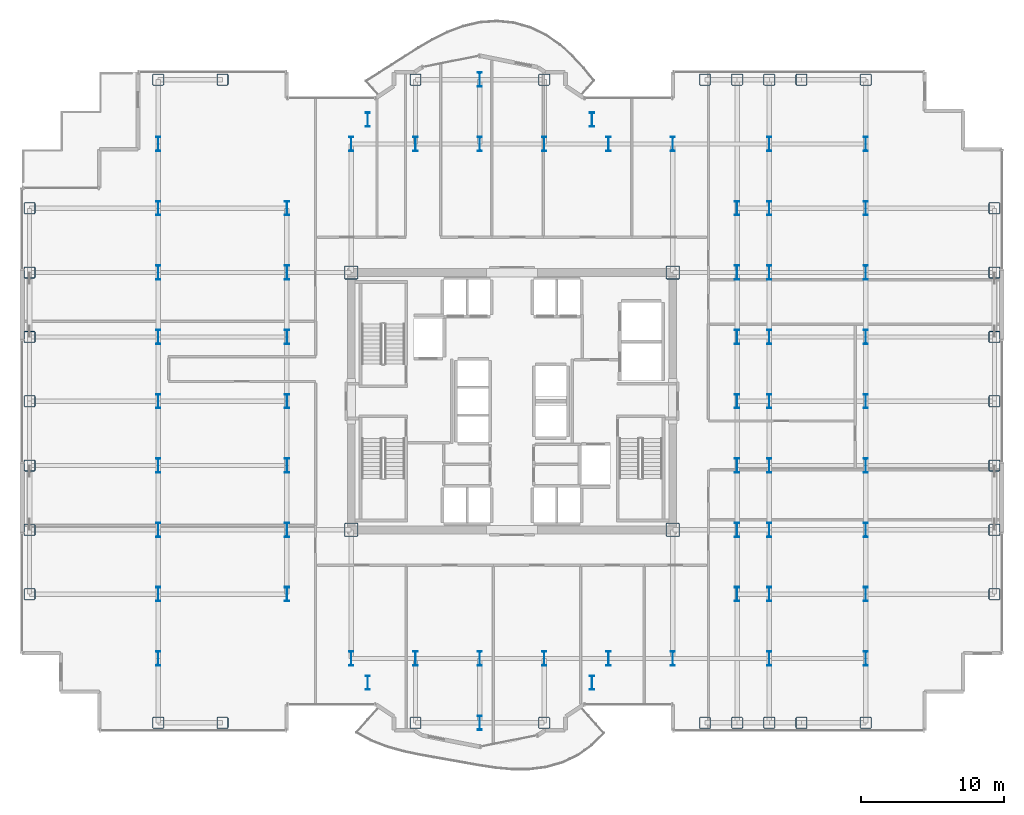
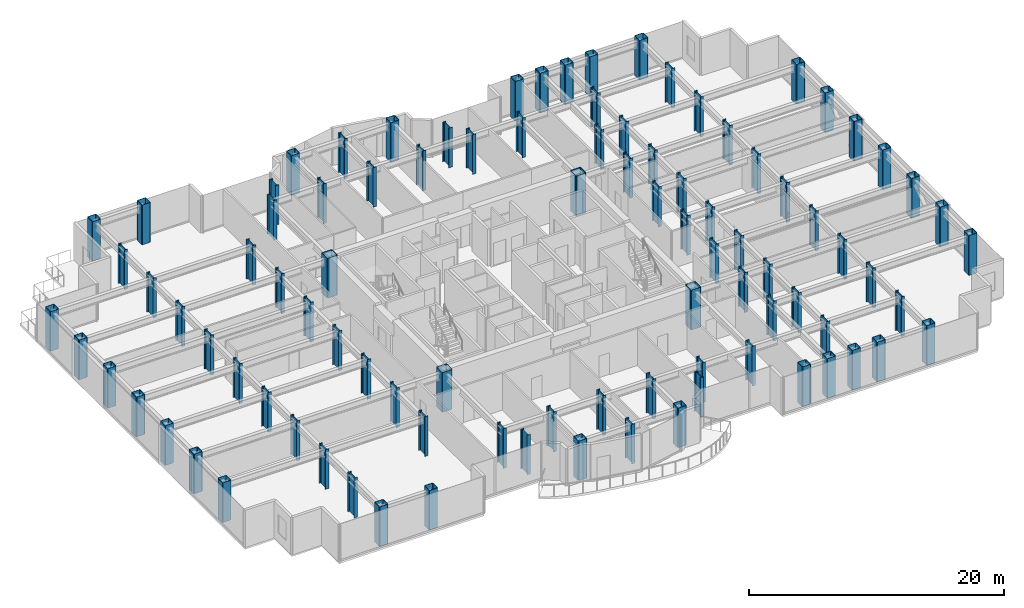
# One storey, part 1 of 29: 95 columns.
"""IFC4 building model written with IfcOpenShell, lengths in metres."""

from ifc_helpers import new_model, si_unit, direction, frame, origin, origin_2d, place, context, subcontext, project, spatial, hollow_rectangle, i_section, extrude, source, transform, mapped, material, material_profile, profile_set, type_object, element, save


model = new_model("IFC4")

# Units and contexts
model_context = context("Model", 3, precision=1e-05, world=origin(), true_north=direction((0.0, 1.0)))
body_context = subcontext(model_context, "Body", "Model", "MODEL_VIEW")
ifc_project = project(units=[si_unit("LENGTHUNIT", "METRE"), si_unit("AREAUNIT", "SQUARE_METRE"), si_unit("VOLUMEUNIT", "CUBIC_METRE"), si_unit("PLANEANGLEUNIT", "RADIAN"), si_unit("MASSUNIT", "GRAM", prefix="KILO")], contexts=[model_context])

# Site, building, storey
site_placement = place(None, origin())
site = spatial("IfcSite", under=ifc_project, at=site_placement, CompositionType="ELEMENT")
building_placement = place(site_placement, origin())
building = spatial("IfcBuilding", under=site, at=building_placement, Name="Nefas-Gora Pilgrimage Tower", CompositionType="ELEMENT")
storey_placement = place(building_placement, frame((0.0, 0.0, 125.0)))
storey = spatial("IfcBuildingStorey", under=building, at=storey_placement, Name="L30", CompositionType="ELEMENT", Elevation=125.0)

# Columns
ifc_material = material(Name="Steel S460", Category="steel")
ifc_material_profile_1 = material_profile(ifc_material, i_section(OverallWidth=0.302001953125, OverallDepth=1.008056640625, WebThickness=0.02099609375, FlangeThickness=0.0400390625, FilletRadius=0.030029296875, at=origin_2d()), Name="HEM 1000")
ifc_profile_set_1 = profile_set([ifc_material_profile_1], Name="Steel S460")
column_type_1 = type_object("IfcColumnType", Name="COL-WEB-HEM1000", PredefinedType="COLUMN", material=ifc_profile_set_1)
shared_shape_1 = source(origin(), body_context, "Body", "SweptSolid", [
    extrude(i_section(OverallWidth=0.302001953125, OverallDepth=1.008056640625, WebThickness=0.02099609375, FlangeThickness=0.0400390625, FilletRadius=0.030029296875, at=origin_2d()), origin(), (0.0, 0.0, 1.0), 3.800048828125),
])
for number, where, z_axis, x_axis, name in (
    (1, (-24.75, -18.0, 0.0), (0.0, 0.0, 1.0), (1.0, 0.0, 0.0), "L30 Tower Column CW-01.9"),
    (2, (-24.75, -13.5, 0.0), (0.0, 0.0, 1.0), (1.0, 0.0, 0.0), "L30 Tower Column CW-01.10"),
    (3, (-24.75, -9.0, 0.0), (0.0, 0.0, 1.0), (1.0, 0.0, 0.0), "L30 Tower Column CW-01.11"),
    (4, (-24.75, -4.5, 0.0), (0.0, 0.0, 1.0), (1.0, 0.0, 0.0), "L30 Tower Column CW-01.12"),
    (5, (-24.75, 0.0, 0.0), (0.0, 0.0, 1.0), (1.0, 0.0, 0.0), "L30 Tower Column CW-01.13"),
    (6, (-24.75, 4.5, 0.0), (0.0, 0.0, 1.0), (1.0, 0.0, 0.0), "L30 Tower Column CW-01.14"),
    (7, (-24.75, 9.0, 0.0), (0.0, 0.0, 1.0), (1.0, 0.0, 0.0), "L30 Tower Column CW-01.15"),
    (8, (-24.75, 13.5, 0.0), (0.0, 0.0, 1.0), (1.0, 0.0, 0.0), "L30 Tower Column CW-01.16"),
    (9, (-24.75, 18.0, 0.0), (0.0, 0.0, 1.0), (1.0, 0.0, 0.0), "L30 Tower Column CW-01.17"),
    (10, (-15.75, -13.5, 0.0), (0.0, 0.0, 1.0), (1.0, 0.0, 0.0), "L30 Tower Column CW-01.21"),
    (11, (-15.75, -9.0, 0.0), (0.0, 0.0, 1.0), (1.0, 0.0, 0.0), "L30 Tower Column CW-01.22"),
    (12, (-15.75, -4.5, 0.0), (0.0, 0.0, 1.0), (1.0, 0.0, 0.0), "L30 Tower Column CW-01.23"),
    (13, (-15.75, 0.0, 0.0), (0.0, 0.0, 1.0), (1.0, 0.0, 0.0), "L30 Tower Column CW-01.24"),
    (14, (-15.75, 4.5, 0.0), (0.0, 0.0, 1.0), (1.0, 0.0, 0.0), "L30 Tower Column CW-01.25"),
    (15, (-15.75, 9.0, 0.0), (0.0, 0.0, 1.0), (1.0, 0.0, 0.0), "L30 Tower Column CW-01.26"),
    (16, (-15.75, 13.5, 0.0), (0.0, 0.0, 1.0), (1.0, 0.0, 0.0), "L30 Tower Column CW-01.27"),
    (17, (-11.25, -18.0, 0.0), (0.0, 0.0, 1.0), (1.0, 0.0, 0.0), "L30 Tower Column CW-01.28"),
    (18, (-11.25, 18.0, 0.0), (0.0, 0.0, 1.0), (1.0, 0.0, 0.0), "L30 Tower Column CW-01.31"),
    (19, (-10.091064453125, -19.696044921875, 0.0), (0.0, 0.0, 1.0), (1.0, 0.0, 0.0), "L30 Tower Column CW-01.32"),
    (20, (-10.091064453125, 19.696044921875, 0.0), (0.0, 0.0, 1.0), (1.0, 0.0, 0.0), "L30 Tower Column CW-01.33"),
    (21, (-6.75, -18.0, 0.0), (0.0, 0.0, 1.0), (1.0, 0.0, 0.0), "L30 Tower Column CW-01.35"),
    (22, (-6.75, 18.0, 0.0), (0.0, 0.0, 1.0), (1.0, 0.0, 0.0), "L30 Tower Column CW-01.36"),
    (23, (-2.25, -22.5, 0.0), (0.0, 0.0, 1.0), (1.0, 0.0, 0.0), "L30 Tower Column CW-01.38"),
    (24, (-2.25, -18.0, 0.0), (0.0, 0.0, 1.0), (1.0, 0.0, 0.0), "L30 Tower Column CW-01.39"),
    (25, (-2.25, 18.0, 0.0), (0.0, 0.0, 1.0), (1.0, 0.0, 0.0), "L30 Tower Column CW-01.40"),
    (26, (-2.25, 22.5, 0.0), (0.0, 0.0, 1.0), (1.0, 0.0, 0.0), "L30 Tower Column CW-01.41"),
    (27, (2.25, -18.0, 0.0), (0.0, 0.0, 1.0), (1.0, 0.0, 0.0), "L30 Tower Column CW-01.43"),
    (28, (2.25, 18.0, 0.0), (0.0, 0.0, 1.0), (1.0, 0.0, 0.0), "L30 Tower Column CW-01.44"),
    (29, (5.591064453125, -19.696044921875, 0.0), (0.0, 0.0, 1.0), (1.0, 0.0, 0.0), "L30 Tower Column CW-01.46"),
    (30, (5.591064453125, 19.696044921875, 0.0), (0.0, 0.0, 1.0), (1.0, 0.0, 0.0), "L30 Tower Column CW-01.47"),
    (31, (6.75, -18.0, 0.0), (0.0, 0.0, 1.0), (1.0, 0.0, 0.0), "L30 Tower Column CW-01.48"),
    (32, (6.75, 18.0, 0.0), (0.0, 0.0, 1.0), (1.0, 0.0, 0.0), "L30 Tower Column CW-01.49"),
    (33, (11.25, -18.0, 0.0), (0.0, 0.0, 1.0), (1.0, 0.0, 0.0), "L30 Tower Column CW-01.50"),
    (34, (11.25, 18.0, 0.0), (0.0, 0.0, 1.0), (1.0, 0.0, 0.0), "L30 Tower Column CW-01.53"),
    (35, (15.75, -13.5, 0.0), (0.0, 0.0, 1.0), (1.0, 0.0, 0.0), "L30 Tower Column CW-01.57"),
    (36, (15.75, -9.0, 0.0), (0.0, 0.0, 1.0), (1.0, 0.0, 0.0), "L30 Tower Column CW-01.58"),
    (37, (15.75, -4.5, 0.0), (0.0, 0.0, 1.0), (1.0, 0.0, 0.0), "L30 Tower Column CW-01.59"),
    (38, (15.75, 0.0, 0.0), (0.0, 0.0, 1.0), (1.0, 0.0, 0.0), "L30 Tower Column CW-01.60"),
    (39, (15.75, 4.5, 0.0), (0.0, 0.0, 1.0), (1.0, 0.0, 0.0), "L30 Tower Column CW-01.61"),
    (40, (15.75, 9.0, 0.0), (0.0, 0.0, 1.0), (1.0, 0.0, 0.0), "L30 Tower Column CW-01.62"),
    (41, (15.75, 13.5, 0.0), (0.0, 0.0, 1.0), (1.0, 0.0, 0.0), "L30 Tower Column CW-01.63"),
    (42, (18.0, -18.0, 0.0), (0.0, 0.0, 1.0), (1.0, 0.0, 0.0), "L30 Tower Column CW-01.66"),
    (43, (18.0, -13.5, 0.0), (0.0, 0.0, 1.0), (1.0, 0.0, 0.0), "L30 Tower Column CW-01.67"),
    (44, (18.0, -9.0, 0.0), (0.0, 0.0, 1.0), (1.0, 0.0, 0.0), "L30 Tower Column CW-01.68"),
    (45, (18.0, -4.5, 0.0), (0.0, 0.0, 1.0), (1.0, 0.0, 0.0), "L30 Tower Column CW-01.69"),
    (46, (18.0, 0.0, 0.0), (0.0, 0.0, 1.0), (1.0, 0.0, 0.0), "L30 Tower Column CW-01.70"),
    (47, (18.0, 4.5, 0.0), (0.0, 0.0, 1.0), (1.0, 0.0, 0.0), "L30 Tower Column CW-01.71"),
    (48, (18.0, 9.0, 0.0), (0.0, 0.0, 1.0), (1.0, 0.0, 0.0), "L30 Tower Column CW-01.72"),
    (49, (18.0, 13.5, 0.0), (0.0, 0.0, 1.0), (1.0, 0.0, 0.0), "L30 Tower Column CW-01.73"),
    (50, (18.0, 18.0, 0.0), (0.0, 0.0, 1.0), (1.0, 0.0, 0.0), "L30 Tower Column CW-01.74"),
    (51, (24.75, -18.0, 0.0), (0.0, 0.0, 1.0), (1.0, 0.0, 0.0), "L30 Tower Column CW-01.79"),
    (52, (24.75, -13.5, 0.0), (0.0, 0.0, 1.0), (1.0, 0.0, 0.0), "L30 Tower Column CW-01.80"),
    (53, (24.75, -9.0, 0.0), (0.0, 0.0, 1.0), (1.0, 0.0, 0.0), "L30 Tower Column CW-01.81"),
    (54, (24.75, -4.5, 0.0), (0.0, 0.0, 1.0), (1.0, 0.0, 0.0), "L30 Tower Column CW-01.82"),
    (55, (24.75, 0.0, 0.0), (0.0, 0.0, 1.0), (1.0, 0.0, 0.0), "L30 Tower Column CW-01.83"),
    (56, (24.75, 4.5, 0.0), (0.0, 0.0, 1.0), (1.0, 0.0, 0.0), "L30 Tower Column CW-01.84"),
    (57, (24.75, 9.0, 0.0), (0.0, 0.0, 1.0), (1.0, 0.0, 0.0), "L30 Tower Column CW-01.85"),
    (58, (24.75, 13.5, 0.0), (0.0, 0.0, 1.0), (1.0, 0.0, 0.0), "L30 Tower Column CW-01.86"),
    (59, (24.75, 18.0, 0.0), (0.0, 0.0, 1.0), (1.0, 0.0, 0.0), "L30 Tower Column CW-01.87"),
):
    element("IfcColumn", number, at=place(storey_placement, frame(where, z_axis=z_axis, x_axis=x_axis)), inside=storey, type_object=column_type_1, Name=name, PredefinedType="COLUMN", context=body_context, shape_type="MappedRepresentation", body=[
        mapped(shared_shape_1, transform((0.0, 0.0, 0.0), x_axis=(1.0, 0.0, 0.0), y_axis=(0.0, 1.0, 0.0), z_axis=(0.0, 0.0, 1.0), scale=1.0)),
    ])
ifc_material_profile_2 = material_profile(ifc_material, hollow_rectangle(XDim=0.949951171875, YDim=0.949951171875, WallThickness=0.044921875, InnerFilletRadius=0.044921875, OuterFilletRadius=0.090087890625, at=origin_2d()), Name="BOX 950x950x45")
ifc_profile_set_2 = profile_set([ifc_material_profile_2], Name="Steel S460")
column_type_2 = type_object("IfcColumnType", Name="COL-CORE-950", PredefinedType="COLUMN", material=ifc_profile_set_2)
shared_shape_2 = source(origin(), body_context, "Body", "SweptSolid", [
    extrude(hollow_rectangle(XDim=0.949951171875, YDim=0.949951171875, WallThickness=0.044921875, InnerFilletRadius=0.044921875, OuterFilletRadius=0.090087890625, at=origin_2d()), origin(), (0.0, 0.0, 1.0), 3.800048828125),
])
for number, where, z_axis, x_axis, name in (
    (60, (-11.25, -9.0, 0.0), (0.0, 0.0, 1.0), (1.0, 0.0, 0.0), "L30 Tower Column CC-Z1.29"),
    (61, (-11.25, 9.0, 0.0), (0.0, 0.0, 1.0), (1.0, 0.0, 0.0), "L30 Tower Column CC-Z1.30"),
    (62, (11.25, -9.0, 0.0), (0.0, 0.0, 1.0), (1.0, 0.0, 0.0), "L30 Tower Column CC-Z1.51"),
    (63, (11.25, 9.0, 0.0), (0.0, 0.0, 1.0), (1.0, 0.0, 0.0), "L30 Tower Column CC-Z1.52"),
):
    element("IfcColumn", number, at=place(storey_placement, frame(where, z_axis=z_axis, x_axis=x_axis)), inside=storey, type_object=column_type_2, Name=name, PredefinedType="COLUMN", context=body_context, shape_type="MappedRepresentation", body=[
        mapped(shared_shape_2, transform((0.0, 0.0, 0.0), x_axis=(1.0, 0.0, 0.0), y_axis=(0.0, 1.0, 0.0), z_axis=(0.0, 0.0, 1.0), scale=1.0)),
    ])
ifc_material_profile_3 = material_profile(ifc_material, hollow_rectangle(XDim=0.800048828125, YDim=0.800048828125, WallThickness=0.0400390625, InnerFilletRadius=0.0400390625, OuterFilletRadius=0.080078125, at=origin_2d()), Name="BOX 800x800x40")
ifc_profile_set_3 = profile_set([ifc_material_profile_3], Name="Steel S460")
column_type_3 = type_object("IfcColumnType", Name="COL-TUBE-800", PredefinedType="COLUMN", material=ifc_profile_set_3)
shared_shape_3 = source(origin(), body_context, "Body", "SweptSolid", [
    extrude(hollow_rectangle(XDim=0.800048828125, YDim=0.800048828125, WallThickness=0.0400390625, InnerFilletRadius=0.0400390625, OuterFilletRadius=0.080078125, at=origin_2d()), origin(), (0.0, 0.0, 1.0), 3.800048828125),
])
for number, where, z_axis, x_axis, name in (
    (64, (-33.75, -13.5, 0.0), (0.0, 0.0, 1.0), (1.0, 0.0, 0.0), "L30 Tower Column C-Z2.1"),
    (65, (-33.75, -9.0, 0.0), (0.0, 0.0, 1.0), (1.0, 0.0, 0.0), "L30 Tower Column C-Z2.2"),
    (66, (-33.75, -4.5, 0.0), (0.0, 0.0, 1.0), (1.0, 0.0, 0.0), "L30 Tower Column C-Z2.3"),
    (67, (-33.75, 0.0, 0.0), (0.0, 0.0, 1.0), (1.0, 0.0, 0.0), "L30 Tower Column C-Z2.4"),
    (68, (-33.75, 4.5, 0.0), (0.0, 0.0, 1.0), (1.0, 0.0, 0.0), "L30 Tower Column C-Z2.5"),
    (69, (-33.75, 9.0, 0.0), (0.0, 0.0, 1.0), (1.0, 0.0, 0.0), "L30 Tower Column C-Z2.6"),
    (70, (-33.75, 13.5, 0.0), (0.0, 0.0, 1.0), (1.0, 0.0, 0.0), "L30 Tower Column C-Z2.7"),
    (71, (-24.75, -22.5, 0.0), (0.0, 0.0, 1.0), (1.0, 0.0, 0.0), "L30 Tower Column C-Z2.8"),
    (72, (-24.75, 22.5, 0.0), (0.0, 0.0, 1.0), (1.0, 0.0, 0.0), "L30 Tower Column C-Z2.18"),
    (73, (-20.25, -22.5, 0.0), (0.0, 0.0, 1.0), (1.0, 0.0, 0.0), "L30 Tower Column C-Z2.19"),
    (74, (-20.25, 22.5, 0.0), (0.0, 0.0, 1.0), (1.0, 0.0, 0.0), "L30 Tower Column C-Z2.20"),
    (75, (-6.75, -22.5, 0.0), (0.0, 0.0, 1.0), (1.0, 0.0, 0.0), "L30 Tower Column C-Z2.34"),
    (76, (-6.75, 22.5, 0.0), (0.0, 0.0, 1.0), (1.0, 0.0, 0.0), "L30 Tower Column C-Z2.37"),
    (77, (2.25, -22.5, 0.0), (0.0, 0.0, 1.0), (1.0, 0.0, 0.0), "L30 Tower Column C-Z2.42"),
    (78, (2.25, 22.5, 0.0), (0.0, 0.0, 1.0), (1.0, 0.0, 0.0), "L30 Tower Column C-Z2.45"),
    (79, (13.5, -22.5, 0.0), (0.0, 0.0, 1.0), (1.0, 0.0, 0.0), "L30 Tower Column C-Z2.54"),
    (80, (13.5, 22.5, 0.0), (0.0, 0.0, 1.0), (1.0, 0.0, 0.0), "L30 Tower Column C-Z2.55"),
    (81, (15.75, -22.5, 0.0), (0.0, 0.0, 1.0), (1.0, 0.0, 0.0), "L30 Tower Column C-Z2.56"),
    (82, (15.75, 22.5, 0.0), (0.0, 0.0, 1.0), (1.0, 0.0, 0.0), "L30 Tower Column C-Z2.64"),
    (83, (18.0, -22.5, 0.0), (0.0, 0.0, 1.0), (1.0, 0.0, 0.0), "L30 Tower Column C-Z2.65"),
    (84, (18.0, 22.5, 0.0), (0.0, 0.0, 1.0), (1.0, 0.0, 0.0), "L30 Tower Column C-Z2.75"),
    (85, (20.25, -22.5, 0.0), (0.0, 0.0, 1.0), (1.0, 0.0, 0.0), "L30 Tower Column C-Z2.76"),
    (86, (20.25, 22.5, 0.0), (0.0, 0.0, 1.0), (1.0, 0.0, 0.0), "L30 Tower Column C-Z2.77"),
    (87, (24.75, -22.5, 0.0), (0.0, 0.0, 1.0), (1.0, 0.0, 0.0), "L30 Tower Column C-Z2.78"),
    (88, (24.75, 22.5, 0.0), (0.0, 0.0, 1.0), (1.0, 0.0, 0.0), "L30 Tower Column C-Z2.88"),
    (89, (33.75, -13.5, 0.0), (0.0, 0.0, 1.0), (1.0, 0.0, 0.0), "L30 Tower Column C-Z2.89"),
    (90, (33.75, -9.0, 0.0), (0.0, 0.0, 1.0), (1.0, 0.0, 0.0), "L30 Tower Column C-Z2.90"),
    (91, (33.75, -4.5, 0.0), (0.0, 0.0, 1.0), (1.0, 0.0, 0.0), "L30 Tower Column C-Z2.91"),
    (92, (33.75, 0.0, 0.0), (0.0, 0.0, 1.0), (1.0, 0.0, 0.0), "L30 Tower Column C-Z2.92"),
    (93, (33.75, 4.5, 0.0), (0.0, 0.0, 1.0), (1.0, 0.0, 0.0), "L30 Tower Column C-Z2.93"),
    (94, (33.75, 9.0, 0.0), (0.0, 0.0, 1.0), (1.0, 0.0, 0.0), "L30 Tower Column C-Z2.94"),
    (95, (33.75, 13.5, 0.0), (0.0, 0.0, 1.0), (1.0, 0.0, 0.0), "L30 Tower Column C-Z2.95"),
):
    element("IfcColumn", number, at=place(storey_placement, frame(where, z_axis=z_axis, x_axis=x_axis)), inside=storey, type_object=column_type_3, Name=name, PredefinedType="COLUMN", context=body_context, shape_type="MappedRepresentation", body=[
        mapped(shared_shape_3, transform((0.0, 0.0, 0.0), x_axis=(1.0, 0.0, 0.0), y_axis=(0.0, 1.0, 0.0), z_axis=(0.0, 0.0, 1.0), scale=1.0)),
    ])

save(model, "model.ifc")
